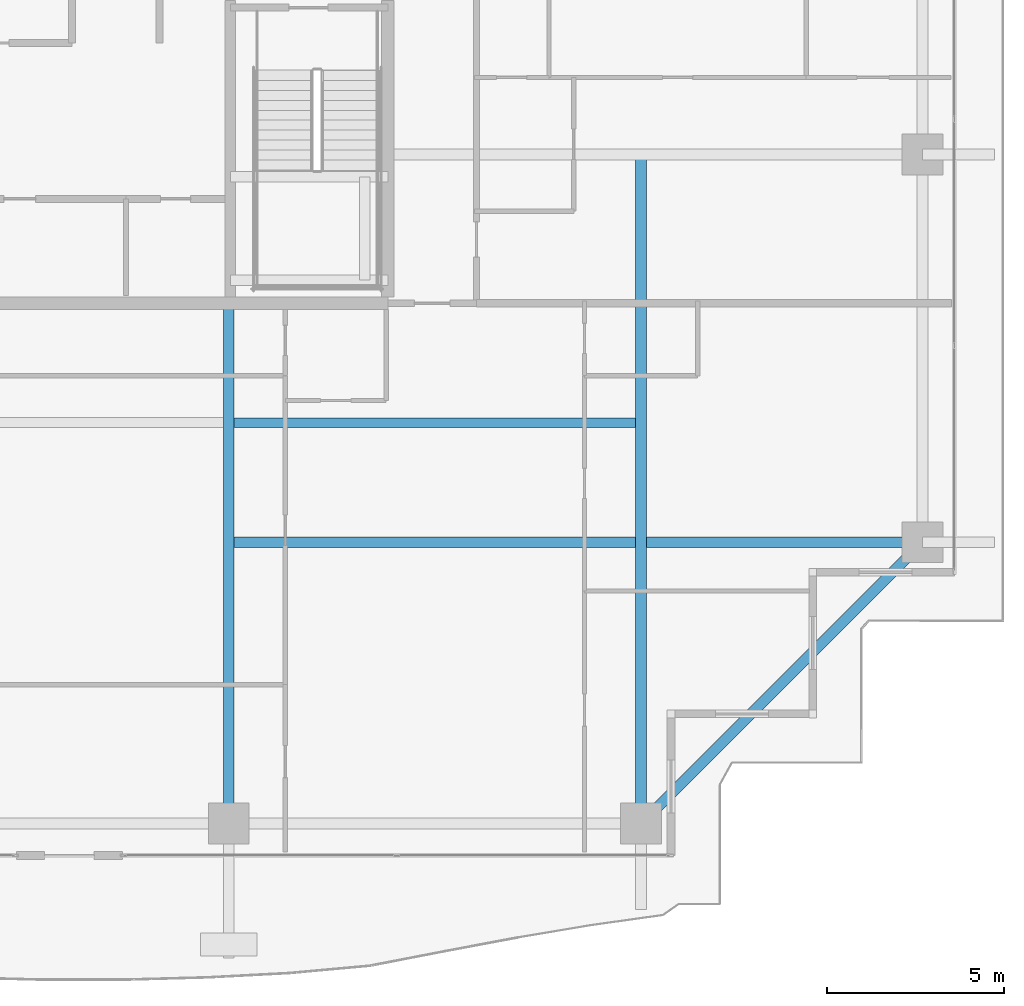
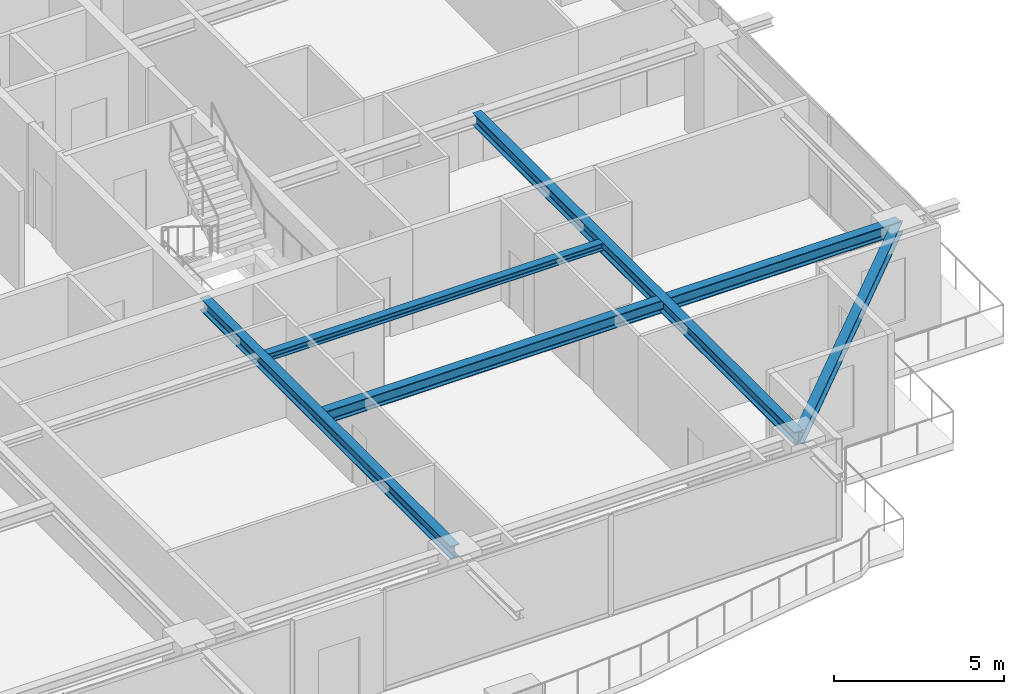
# One storey, part 12 of 35: 5 beams.
"""IFC4 building model written with IfcOpenShell, lengths in metres."""

from ifc_helpers import new_model, si_unit, direction, frame, origin, origin_2d, place, context, subcontext, project, spatial, i_section, extrude, source, transform, mapped, material, material_profile, profile_set, type_object, element, save


model = new_model("IFC4")

# Units and contexts
model_context = context("Model", 3, precision=1e-05, world=origin(), true_north=direction((0.0, 1.0)))
body_context = subcontext(model_context, "Body", "Model", "MODEL_VIEW")
ifc_project = project(units=[si_unit("LENGTHUNIT", "METRE"), si_unit("AREAUNIT", "SQUARE_METRE"), si_unit("VOLUMEUNIT", "CUBIC_METRE"), si_unit("PLANEANGLEUNIT", "RADIAN"), si_unit("MASSUNIT", "GRAM", prefix="KILO")], contexts=[model_context])

# Site, building, storey
site_placement = place(None, origin())
site = spatial("IfcSite", under=ifc_project, at=site_placement, CompositionType="ELEMENT")
building_placement = place(site_placement, origin())
building = spatial("IfcBuilding", under=site, at=building_placement, Name="Serunith Strait Residences", CompositionType="ELEMENT")
storey_placement = place(building_placement, frame((0.0, 0.0, 214.300048828125)))
storey = spatial("IfcBuildingStorey", under=building, at=storey_placement, Name="L53", CompositionType="ELEMENT", Elevation=214.300048828125)

# Beams
ifc_material = material(Name="Steel S355J2", Category="steel")
ifc_material_profile_1 = material_profile(ifc_material, i_section(OverallWidth=0.300048828125, OverallDepth=0.449951171875, WebThickness=0.013916015625, FlangeThickness=0.02587890625, FilletRadius=0.027099609375, at=origin_2d()), Name="HEB 450")
ifc_profile_set_1 = profile_set([ifc_material_profile_1], Name="Steel S355J2")
beam_type_1 = type_object("IfcBeamType", Name="BM-HEB450", PredefinedType="BEAM", material=ifc_profile_set_1)
shared_shape_1 = source(origin(), body_context, "Body", "SweptSolid", [
    extrude(i_section(OverallWidth=0.300048828125, OverallDepth=0.449951171875, WebThickness=0.013916015625, FlangeThickness=0.02587890625, FilletRadius=0.027099609375, at=origin_2d()), origin(), (0.0, 0.0, 1.0), 14.699951171875),
])
beam_1_placement = place(storey_placement, frame((36.89990234375, 16.800048828125, 3.362060546875), z_axis=(0.0, -1.0, 0.0), x_axis=(1.0, 0.0, 0.0)))
element("IfcBeam", 1, at=beam_1_placement, inside=storey, type_object=beam_type_1, Name="L53 Primary Floor Girder TC-S3", PredefinedType="BEAM", context=body_context, shape_type="MappedRepresentation", body=[
    mapped(shared_shape_1, transform((0.0, 0.0, 0.0), scale=1.0)),
])
shared_shape_2 = source(origin(), body_context, "Body", "SweptSolid", [
    extrude(i_section(OverallWidth=0.300048828125, OverallDepth=0.449951171875, WebThickness=0.013916015625, FlangeThickness=0.02587890625, FilletRadius=0.027099609375, at=origin_2d()), origin(), (0.0, 0.0, 1.0), 18.89990234375),
])
beam_2_placement = place(storey_placement, frame((48.550048828125, 21.0, 3.362060546875), z_axis=(0.0, -1.0, 0.0), x_axis=(1.0, 0.0, 0.0)))
element("IfcBeam", 2, at=beam_2_placement, inside=storey, type_object=beam_type_1, Name="L53 Orthogonal Corner Girder TC-S4", PredefinedType="BEAM", context=body_context, shape_type="MappedRepresentation", body=[
    mapped(shared_shape_2, transform((0.0, 0.0, 0.0), scale=1.0)),
])
shared_shape_3 = source(origin(), body_context, "Body", "SweptSolid", [
    extrude(i_section(OverallWidth=0.300048828125, OverallDepth=0.449951171875, WebThickness=0.013916015625, FlangeThickness=0.02587890625, FilletRadius=0.027099609375, at=origin_2d()), origin(), (0.0, 0.0, 1.0), 19.60009765625),
])
beam_3_placement = place(storey_placement, frame((36.89990234375, 10.050048828125, 3.362060546875), z_axis=(1.0, 0.0, 0.0), x_axis=(0.0, 1.0, 0.0)))
element("IfcBeam", 3, at=beam_3_placement, inside=storey, type_object=beam_type_1, Name="L53 Orthogonal Corner Girder TC-E1", PredefinedType="BEAM", context=body_context, shape_type="MappedRepresentation", body=[
    mapped(shared_shape_3, transform((0.0, 0.0, 0.0), scale=1.0)),
])
ifc_material_profile_2 = material_profile(ifc_material, i_section(OverallWidth=0.300048828125, OverallDepth=0.39990234375, WebThickness=0.013427734375, FlangeThickness=0.02392578125, FilletRadius=0.027099609375, at=origin_2d()), Name="HEB 400")
ifc_profile_set_2 = profile_set([ifc_material_profile_2], Name="Steel S355J2")
beam_type_2 = type_object("IfcBeamType", Name="BM-HEB400", PredefinedType="BEAM", material=ifc_profile_set_2)
shared_shape_4 = source(origin(), body_context, "Body", "SweptSolid", [
    extrude(i_section(OverallWidth=0.300048828125, OverallDepth=0.39990234375, WebThickness=0.013427734375, FlangeThickness=0.02392578125, FilletRadius=0.027099609375, at=origin_2d()), origin(), (0.0, 0.0, 1.0), 11.242919921875),
])
beam_4_placement = place(storey_placement, frame((48.550048828125, 2.10009765625, 3.35693359375), z_axis=(0.707106781187, 0.707106781187, 0.0), x_axis=(-0.707106781187, 0.707106781187, 0.0)))
element("IfcBeam", 4, at=beam_4_placement, inside=storey, type_object=beam_type_2, Name="L53 Perimeter Ring Beam 04", PredefinedType="BEAM", context=body_context, shape_type="MappedRepresentation", body=[
    mapped(shared_shape_4, transform((0.0, 0.0, 0.0), scale=1.0)),
])
ifc_material_profile_3 = material_profile(ifc_material, i_section(OverallWidth=0.260009765625, OverallDepth=0.260009765625, WebThickness=0.010009765625, FlangeThickness=0.017578125, FilletRadius=0.02392578125, at=origin_2d()), Name="HEB 260")
ifc_profile_set_3 = profile_set([ifc_material_profile_3], Name="Steel S355J2")
beam_type_3 = type_object("IfcBeamType", Name="BM-HEB260", PredefinedType="JOIST", material=ifc_profile_set_3)
shared_shape_5 = source(origin(), body_context, "Body", "SweptSolid", [
    extrude(i_section(OverallWidth=0.260009765625, OverallDepth=0.260009765625, WebThickness=0.010009765625, FlangeThickness=0.017578125, FilletRadius=0.02392578125, at=origin_2d()), origin(), (0.0, 0.0, 1.0), 11.349853515625),
])
beam_5_placement = place(storey_placement, frame((37.050048828125, 13.425048828125, 3.45703125), z_axis=(1.0, 0.0, 0.0), x_axis=(0.0, 1.0, 0.0)))
element("IfcBeam", 5, at=beam_5_placement, inside=storey, type_object=beam_type_3, Name="L53 Composite Floor Joist 03", PredefinedType="JOIST", context=body_context, shape_type="MappedRepresentation", body=[
    mapped(shared_shape_5, transform((0.0, 0.0, 0.0), scale=1.0)),
])

save(model, "model.ifc")
